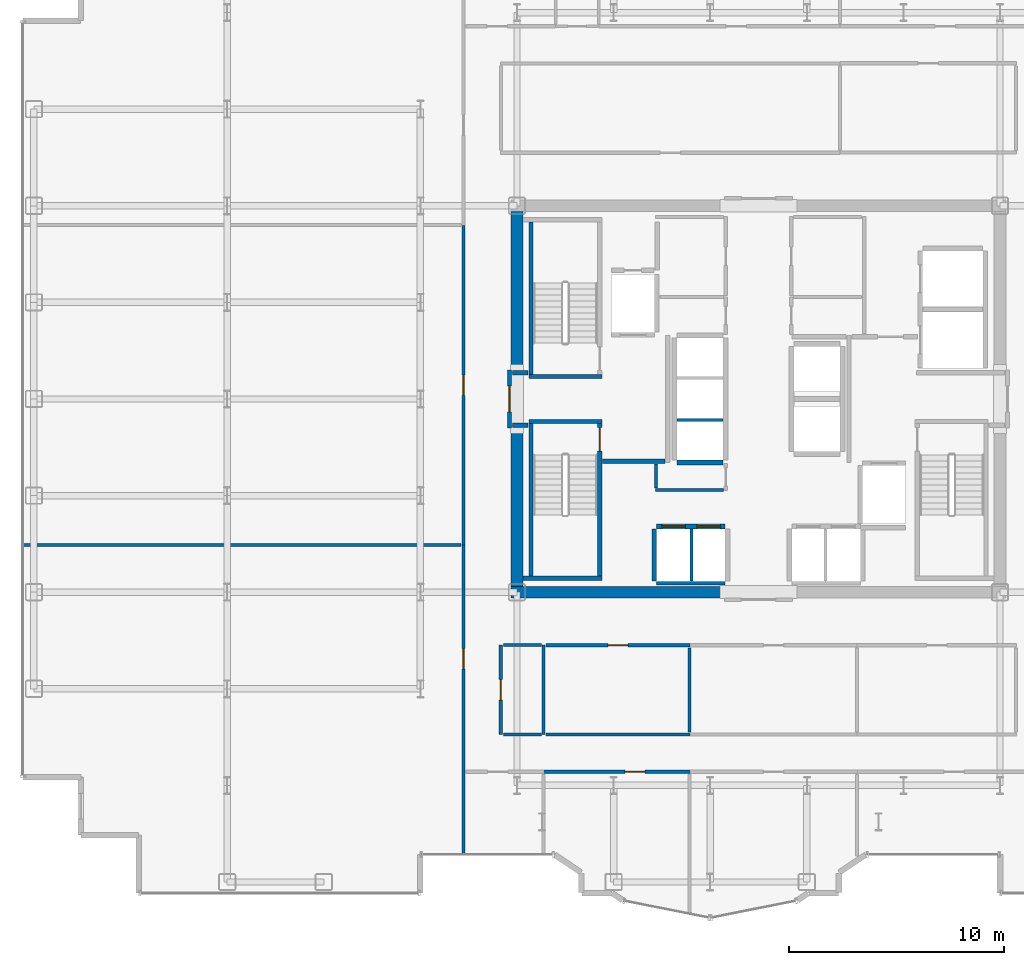
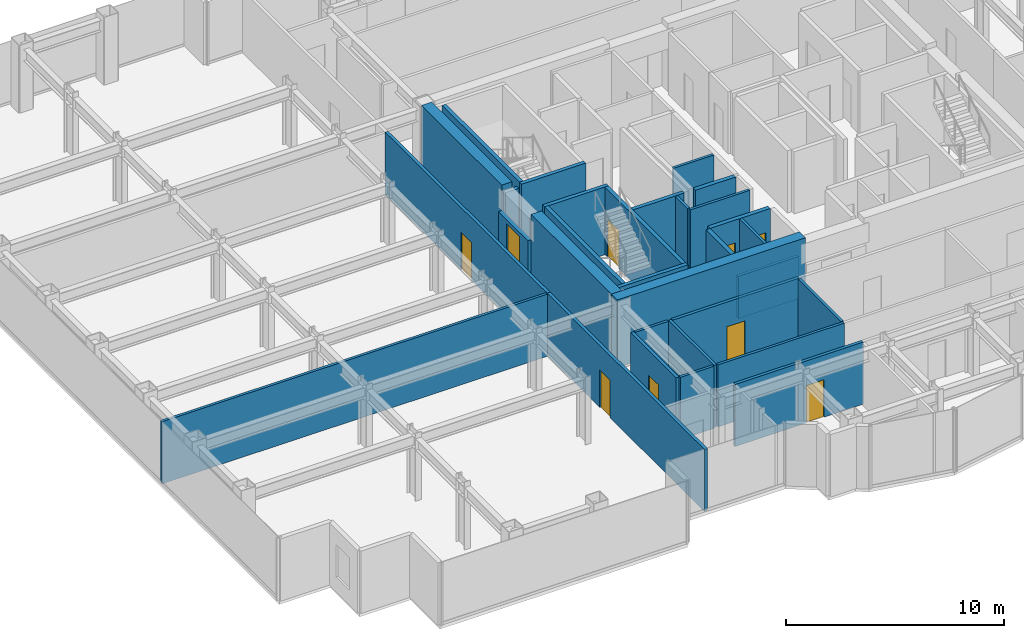
# One storey, part 17 of 23: 32 walls, 9 doors, 9 openings.
"""IFC4 building model written with IfcOpenShell, lengths in metres."""

from ifc_helpers import new_model, si_unit, direction, frame, frame_2d, origin, place, context, subcontext, project, spatial, rectangle, extrude, source, transform, mapped, material, layer, layer_set, type_object, element, fill, save


model = new_model("IFC4")

# Units and contexts
model_context = context("Model", 3, precision=1e-05, world=origin(), true_north=direction((0.0, 1.0)))
body_context = subcontext(model_context, "Body", "Model", "MODEL_VIEW")
ifc_project = project(units=[si_unit("LENGTHUNIT", "METRE"), si_unit("AREAUNIT", "SQUARE_METRE"), si_unit("VOLUMEUNIT", "CUBIC_METRE"), si_unit("PLANEANGLEUNIT", "RADIAN"), si_unit("MASSUNIT", "GRAM", prefix="KILO")], contexts=[model_context])

# Site, building, storey
site_placement = place(None, origin())
site = spatial("IfcSite", under=ifc_project, at=site_placement, CompositionType="ELEMENT")
building_placement = place(site_placement, origin())
building = spatial("IfcBuilding", under=site, at=building_placement, Name="Nefas-Gora Pilgrimage Tower", CompositionType="ELEMENT")
storey_placement = place(building_placement, frame((0.0, 0.0, 198.199951171875)))
storey = spatial("IfcBuildingStorey", under=building, at=storey_placement, Name="L49", CompositionType="ELEMENT", Elevation=198.199951171875)

# Walls
ifc_material_1 = material(Name="Concrete C60/75", Category="concrete")
ifc_layer_1 = layer(ifc_material_1, 0.550048828125)
ifc_layer_set_1 = layer_set([ifc_layer_1], Name="Concrete C60/75")
wall_type_1 = type_object("IfcWallType", Name="SW-CORE-550", PredefinedType="SHEAR", material=ifc_layer_set_1)
shared_shape_1 = source(origin(), body_context, "Body", "SweptSolid", [
    extrude(rectangle(XDim=9.974853515625, YDim=0.550048828125, at=frame_2d((4.9873046875, 0.0))), origin(), (0.0, 0.0, 1.0), 3.800048828125),
])
wall_1_placement = place(storey_placement, frame((-11.52490234375, -9.0, 0.0), z_axis=(0.0, 0.0, 1.0), x_axis=(1.0, 0.0, 0.0)))
element("IfcWall", 1, at=wall_1_placement, inside=storey, type_object=wall_type_1, Name="L49 Core Shear Wall S-West", PredefinedType="SHEAR", context=body_context, shape_type="MappedRepresentation", body=[
    mapped(shared_shape_1, transform((0.0, 0.0, 0.0), x_axis=(1.0, 0.0, 0.0), y_axis=(0.0, 1.0, 0.0), z_axis=(0.0, 0.0, 1.0), scale=1.0)),
])
shared_shape_2 = source(origin(), body_context, "Body", "SweptSolid", [
    extrude(rectangle(XDim=7.375, YDim=0.550048828125, at=frame_2d((3.6875, 0.0))), origin(), (0.0, 0.0, 1.0), 3.800048828125),
])
for number, where, z_axis, x_axis, name in (
    (2, (-11.25, -8.72509765625, 0.0), (0.0, 0.0, 1.0), (0.0, 1.0, 0.0), "L49 Core Shear Wall W-South"),
    (3, (-11.25, 1.35009765625, 0.0), (0.0, 0.0, 1.0), (0.0, 1.0, 0.0), "L49 Core Shear Wall W-North"),
):
    element("IfcWall", number, at=place(storey_placement, frame(where, z_axis=z_axis, x_axis=x_axis)), inside=storey, type_object=wall_type_1, Name=name, PredefinedType="SHEAR", context=body_context, shape_type="MappedRepresentation", body=[
        mapped(shared_shape_2, transform((0.0, 0.0, 0.0), x_axis=(1.0, 0.0, 0.0), y_axis=(0.0, 1.0, 0.0), z_axis=(0.0, 0.0, 1.0), scale=1.0)),
    ])
ifc_material_2 = material(Name="Concrete C45/55", Category="concrete")
ifc_layer_2 = layer(ifc_material_2, 0.199951171875)
ifc_layer_set_2 = layer_set([ifc_layer_2], Name="Concrete C45/55")
wall_type_2 = type_object("IfcWallType", Name="IW-STAIR-200", PredefinedType="SOLIDWALL", material=ifc_layer_set_2)
shared_shape_3 = source(origin(), body_context, "Body", "SweptSolid", [
    extrude(rectangle(XDim=3.39990234375, YDim=0.199951171875, at=frame_2d((1.699951171875, 0.0))), origin(), (0.0, 0.0, 1.0), 3.800048828125),
])
for number, where, z_axis, x_axis, name in (
    (4, (-7.300048828125, 1.050048828125, 0.0), (0.0, 0.0, 1.0), (-1.0, 0.0, 0.0), "L49 Stairwell Shear Wall ST-01-near"),
    (5, (-10.699951171875, -1.050048828125, 0.0), (0.0, 0.0, 1.0), (1.0, 0.0, 0.0), "L49 Stairwell Shear Wall ST-03-near"),
):
    element("IfcWall", number, at=place(storey_placement, frame(where, z_axis=z_axis, x_axis=x_axis)), inside=storey, type_object=wall_type_2, Name=name, PredefinedType="SOLIDWALL", context=body_context, shape_type="MappedRepresentation", body=[
        mapped(shared_shape_3, transform((0.0, 0.0, 0.0), x_axis=(1.0, 0.0, 0.0), y_axis=(0.0, 1.0, 0.0), z_axis=(0.0, 0.0, 1.0), scale=1.0)),
    ])
shared_shape_4 = source(origin(), body_context, "Body", "SweptSolid", [
    extrude(rectangle(XDim=7.10009765625, YDim=0.199951171875, at=frame_2d((3.550048828125, 0.0))), origin(), (0.0, 0.0, 1.0), 3.800048828125),
])
for number, where, z_axis, x_axis, name in (
    (6, (-10.60009765625, 1.14990234375, 0.0), (0.0, 0.0, 1.0), (0.0, 1.0, 0.0), "L49 Stairwell Shear Wall ST-01-right"),
    (7, (-10.60009765625, -1.14990234375, 0.0), (0.0, 0.0, 1.0), (0.0, -1.0, 0.0), "L49 Stairwell Shear Wall ST-03-left"),
):
    element("IfcWall", number, at=place(storey_placement, frame(where, z_axis=z_axis, x_axis=x_axis)), inside=storey, type_object=wall_type_2, Name=name, PredefinedType="SOLIDWALL", context=body_context, shape_type="MappedRepresentation", body=[
        mapped(shared_shape_4, transform((0.0, 0.0, 0.0), x_axis=(1.0, 0.0, 0.0), y_axis=(0.0, 1.0, 0.0), z_axis=(0.0, 0.0, 1.0), scale=1.0)),
    ])

# Wall, opening, door
wall_2_placement = place(storey_placement, frame((-7.39990234375, -1.14990234375, 0.0), z_axis=(0.0, 0.0, 1.0), x_axis=(0.0, -1.0, 0.0)))
wall_2 = element("IfcWall", 8, at=wall_2_placement, inside=storey, type_object=wall_type_2, Name="L49 Stairwell Shear Wall ST-03-right", PredefinedType="SOLIDWALL", context=body_context, shape_type="MappedRepresentation", body=[
    mapped(shared_shape_4, transform((0.0, 0.0, 0.0), x_axis=(1.0, 0.0, 0.0), y_axis=(0.0, 1.0, 0.0), z_axis=(0.0, 0.0, 1.0), scale=1.0)),
])
opening_1_placement = place(wall_2_placement, frame((0.179931640625, 0.0, 0.0)))
opening_1 = element("IfcOpeningElement", 9, at=opening_1_placement, cuts=wall_2, Name="Opening ID-ST1", PredefinedType="OPENING", context=body_context, shape_type="SweptSolid", body=[
    extrude(rectangle(XDim=1.10009765625, YDim=2.14990234375, at=frame_2d((0.550048828125, 1.074951171875))), frame((0.0, 0.10986328125, 0.0), z_axis=(0.0, -1.0, 0.0), x_axis=(1.0, 0.0, 0.0)), (0.0, 0.0, 1.0), 0.219970703125),
])
ifc_material_3 = material(Name="Painted galvanised steel fire stair door", Category="steel")
door_type_1 = type_object("IfcDoorType", Name="DR-INT-STAIR-1100", OperationType="NOTDEFINED", PredefinedType="DOOR", material=ifc_material_3)
shared_shape_5 = source(origin(), body_context, "Body", "SweptSolid", [
    extrude(rectangle(XDim=1.10009765625, YDim=2.14990234375, at=frame_2d((0.550048828125, 1.074951171875))), frame((0.0, 0.02490234375, 0.0), z_axis=(0.0, -1.0, 0.0), x_axis=(1.0, 0.0, 0.0)), (0.0, 0.0, 1.0), 0.050048828125),
])
door_1_placement = place(opening_1_placement, origin())
door_1 = element("IfcDoor", 10, at=door_1_placement, inside=storey, type_object=door_type_1, Name="L49 Protected Exit Stair Door ST-03", OperationType="SINGLE_SWING_LEFT", OverallHeight=2.14990234375, OverallWidth=1.10009765625, PredefinedType="DOOR", context=body_context, shape_type="MappedRepresentation", body=[
    mapped(shared_shape_5, transform((0.0, 0.0, 0.0), x_axis=(1.0, 0.0, 0.0), y_axis=(0.0, 1.0, 0.0), z_axis=(0.0, 0.0, 1.0), scale=1.0)),
])
fill(opening_1, door_1)

# Wall
shared_shape_6 = source(origin(), body_context, "Body", "SweptSolid", [
    extrude(rectangle(XDim=3.679931640625, YDim=0.199951171875, at=frame_2d((1.83984375, 0.0))), origin(), (0.0, 0.0, 1.0), 3.800048828125),
])
wall_3_placement = place(storey_placement, frame((-10.97998046875, -8.35009765625, 0.0), z_axis=(0.0, 0.0, 1.0), x_axis=(1.0, 0.0, 0.0)))
element("IfcWall", 11, at=wall_3_placement, inside=storey, type_object=wall_type_2, Name="L49 Stairwell Shear Wall ST-03-far", PredefinedType="SOLIDWALL", context=body_context, shape_type="MappedRepresentation", body=[
    mapped(shared_shape_6, transform((0.0, 0.0, 0.0), x_axis=(1.0, 0.0, 0.0), y_axis=(0.0, 1.0, 0.0), z_axis=(0.0, 0.0, 1.0), scale=1.0)),
])

# Wall, openings, doors
ifc_material_4 = material(Name="Concrete C40/50", Category="concrete")
ifc_layer_3 = layer(ifc_material_4, 0.219970703125)
ifc_layer_set_3 = layer_set([ifc_layer_3], Name="Concrete C40/50")
wall_type_3 = type_object("IfcWallType", Name="IW-SHAFT-220", PredefinedType="SOLIDWALL", material=ifc_layer_set_3)
shared_shape_7 = source(origin(), body_context, "Body", "SweptSolid", [
    extrude(rectangle(XDim=3.199951171875, YDim=0.219970703125, at=frame_2d((1.60009765625, 0.0))), origin(), (0.0, 0.0, 1.0), 3.485107421875),
])
wall_4_placement = place(storey_placement, frame((-1.550048828125, -5.93994140625, 0.0), z_axis=(0.0, 0.0, 1.0), x_axis=(-1.0, 0.0, 0.0)))
wall_4 = element("IfcWall", 12, at=wall_4_placement, inside=storey, type_object=wall_type_3, Name="L49 Hoistway Wall PL2-W-N", PredefinedType="SOLIDWALL", context=body_context, shape_type="MappedRepresentation", body=[
    mapped(shared_shape_7, transform((0.0, 0.0, 0.0), x_axis=(1.0, 0.0, 0.0), y_axis=(0.0, 1.0, 0.0), z_axis=(0.0, 0.0, 1.0), scale=1.0)),
])
opening_2_placement = place(wall_4_placement, frame((1.85009765625, 0.0, 0.0)))
opening_2 = element("IfcOpeningElement", 13, at=opening_2_placement, cuts=wall_4, Name="Opening LD-01", PredefinedType="OPENING", context=body_context, shape_type="SweptSolid", body=[
    extrude(rectangle(XDim=1.10009765625, YDim=2.199951171875, at=frame_2d((0.550048828125, 1.10009765625))), frame((0.0, 0.119873046875, 0.0), z_axis=(0.0, -1.0, 0.0), x_axis=(1.0, 0.0, 0.0)), (0.0, 0.0, 1.0), 0.239990234375),
])
opening_3_placement = place(wall_4_placement, frame((0.22509765625, 0.0, 0.0)))
opening_3 = element("IfcOpeningElement", 14, at=opening_3_placement, cuts=wall_4, Name="Opening LD-01", PredefinedType="OPENING", context=body_context, shape_type="SweptSolid", body=[
    extrude(rectangle(XDim=1.10009765625, YDim=2.199951171875, at=frame_2d((0.550048828125, 1.10009765625))), frame((0.0, 0.119873046875, 0.0), z_axis=(0.0, -1.0, 0.0), x_axis=(1.0, 0.0, 0.0)), (0.0, 0.0, 1.0), 0.239990234375),
])
ifc_material_5 = material(Name="Brushed stainless sliding lift landing door")
door_type_2 = type_object("IfcDoorType", Name="DR-LIFT-PASS-1100", OperationType="DOUBLE_DOOR_SLIDING", PredefinedType="DOOR", material=ifc_material_5)
shared_shape_8 = source(origin(), body_context, "Body", "SweptSolid", [
    extrude(rectangle(XDim=1.10009765625, YDim=2.199951171875, at=frame_2d((0.550048828125, 1.10009765625))), frame((0.0, 0.02490234375, 0.0), z_axis=(0.0, -1.0, 0.0), x_axis=(1.0, 0.0, 0.0)), (0.0, 0.0, 1.0), 0.050048828125),
])
door_2_placement = place(opening_2_placement, origin())
door_2 = element("IfcDoor", 15, at=door_2_placement, inside=storey, type_object=door_type_2, Name="L49 Sliding Lift Landing Door PL2-01", OperationType="DOUBLE_DOOR_SLIDING", OverallHeight=2.199951171875, OverallWidth=1.10009765625, PredefinedType="DOOR", context=body_context, shape_type="MappedRepresentation", body=[
    mapped(shared_shape_8, transform((0.0, 0.0, 0.0), x_axis=(1.0, 0.0, 0.0), y_axis=(0.0, 1.0, 0.0), z_axis=(0.0, 0.0, 1.0), scale=1.0)),
])
fill(opening_2, door_2)
door_3_placement = place(opening_3_placement, origin())
door_3 = element("IfcDoor", 16, at=door_3_placement, inside=storey, type_object=door_type_2, Name="L49 Sliding Lift Landing Door PL2-02", OperationType="DOUBLE_DOOR_SLIDING", OverallHeight=2.199951171875, OverallWidth=1.10009765625, PredefinedType="DOOR", context=body_context, shape_type="MappedRepresentation", body=[
    mapped(shared_shape_8, transform((0.0, 0.0, 0.0), x_axis=(1.0, 0.0, 0.0), y_axis=(0.0, 1.0, 0.0), z_axis=(0.0, 0.0, 1.0), scale=1.0)),
])
fill(opening_3, door_3)

# Walls
ifc_material_6 = material(Name="Gypsum acoustic stud partition")
ifc_layer_4 = layer(ifc_material_6, 0.159912109375)
ifc_layer_set_4 = layer_set([ifc_layer_4], Name="Gypsum acoustic stud partition")
wall_type_4 = type_object("IfcWallType", Name="IW-CORR-160", PredefinedType="PARTITIONING", material=ifc_layer_set_4)
shared_shape_9 = source(origin(), body_context, "Body", "SweptSolid", [
    extrude(rectangle(XDim=3.199951171875, YDim=0.159912109375, at=frame_2d((1.60009765625, 0.0))), origin(), (0.0, 0.0, 1.0), 2.375),
])
wall_5_placement = place(storey_placement, frame((-4.75, -8.580078125, 0.0), z_axis=(0.0, 0.0, 1.0), x_axis=(1.0, 0.0, 0.0)))
element("IfcWall", 17, at=wall_5_placement, inside=storey, type_object=wall_type_4, Name="L49 Hoistway Wall PL2-W-S", PredefinedType="PARTITIONING", context=body_context, shape_type="MappedRepresentation", body=[
    mapped(shared_shape_9, transform((0.0, 0.0, 0.0), x_axis=(1.0, 0.0, 0.0), y_axis=(0.0, 1.0, 0.0), z_axis=(0.0, 0.0, 1.0), scale=1.0)),
])
shared_shape_10 = source(origin(), body_context, "Body", "SweptSolid", [
    extrude(rectangle(XDim=2.429931640625, YDim=0.219970703125, at=frame_2d((1.21484375, 0.0))), origin(), (0.0, 0.0, 1.0), 3.485107421875),
])
wall_6_placement = place(storey_placement, frame((-4.860107421875, -6.06005859375, 0.0), z_axis=(0.0, 0.0, 1.0), x_axis=(0.0, -1.0, 0.0)))
element("IfcWall", 18, at=wall_6_placement, inside=storey, type_object=wall_type_3, Name="L49 Hoistway Wall PL2-W-W", PredefinedType="SOLIDWALL", context=body_context, shape_type="MappedRepresentation", body=[
    mapped(shared_shape_10, transform((0.0, 0.0, 0.0), x_axis=(1.0, 0.0, 0.0), y_axis=(0.0, 1.0, 0.0), z_axis=(0.0, 0.0, 1.0), scale=1.0)),
])
ifc_material_7 = material(Name="Gypsum twin-stud partition")
ifc_layer_5 = layer(ifc_material_7, 0.139892578125)
ifc_layer_set_5 = layer_set([ifc_layer_5], Name="Gypsum twin-stud partition")
wall_type_5 = type_object("IfcWallType", Name="IW-UNIT-140", PredefinedType="PARTITIONING", material=ifc_layer_set_5)
shared_shape_11 = source(origin(), body_context, "Body", "SweptSolid", [
    extrude(rectangle(XDim=2.429931640625, YDim=0.139892578125, at=frame_2d((1.21484375, 0.0))), origin(), (0.0, 0.0, 1.0), 3.485107421875),
])
wall_7_placement = place(storey_placement, frame((-3.125, -8.489990234375, 0.0), z_axis=(0.0, 0.0, 1.0), x_axis=(0.0, 1.0, 0.0)))
element("IfcWall", 19, at=wall_7_placement, inside=storey, type_object=wall_type_5, Name="L49 Hoistway Wall PL2-W-DIV", PredefinedType="PARTITIONING", context=body_context, shape_type="MappedRepresentation", body=[
    mapped(shared_shape_11, transform((0.0, 0.0, 0.0), x_axis=(1.0, 0.0, 0.0), y_axis=(0.0, 1.0, 0.0), z_axis=(0.0, 0.0, 1.0), scale=1.0)),
])
shared_shape_12 = source(origin(), body_context, "Body", "SweptSolid", [
    extrude(rectangle(XDim=2.130126953125, YDim=0.219970703125, at=frame_2d((1.06494140625, 0.0))), origin(), (0.0, 0.0, 1.0), 3.485107421875),
])
wall_8_placement = place(storey_placement, frame((-3.7900390625, -2.9599609375, 0.0), z_axis=(0.0, 0.0, 1.0), x_axis=(1.0, 0.0, 0.0)))
element("IfcWall", 20, at=wall_8_placement, inside=storey, type_object=wall_type_3, Name="L49 Hoistway Wall PL3-01-S", PredefinedType="SOLIDWALL", context=body_context, shape_type="MappedRepresentation", body=[
    mapped(shared_shape_12, transform((0.0, 0.0, 0.0), x_axis=(1.0, 0.0, 0.0), y_axis=(0.0, 1.0, 0.0), z_axis=(0.0, 0.0, 1.0), scale=1.0)),
])
shared_shape_13 = source(origin(), body_context, "Body", "SweptSolid", [
    extrude(rectangle(XDim=2.130126953125, YDim=0.139892578125, at=frame_2d((1.06494140625, 0.0))), origin(), (0.0, 0.0, 1.0), 3.485107421875),
])
wall_9_placement = place(storey_placement, frame((-3.7900390625, -0.97509765625, 0.0), z_axis=(0.0, 0.0, 1.0), x_axis=(1.0, 0.0, 0.0)))
element("IfcWall", 21, at=wall_9_placement, inside=storey, type_object=wall_type_5, Name="L49 Hoistway Wall PL3-01-02-DIV", PredefinedType="PARTITIONING", context=body_context, shape_type="MappedRepresentation", body=[
    mapped(shared_shape_13, transform((0.0, 0.0, 0.0), x_axis=(1.0, 0.0, 0.0), y_axis=(0.0, 1.0, 0.0), z_axis=(0.0, 0.0, 1.0), scale=1.0)),
])

# Wall, opening, door
ifc_material_8 = material(Name="Gypsum fire-rated shaftwall")
ifc_layer_6 = layer(ifc_material_8, 0.199951171875)
ifc_layer_set_6 = layer_set([ifc_layer_6], Name="Gypsum fire-rated shaftwall")
wall_type_6 = type_object("IfcWallType", Name="IW-FFLOB-200", PredefinedType="PARTITIONING", material=ifc_layer_set_6)
shared_shape_14 = source(origin(), body_context, "Body", "SweptSolid", [
    extrude(rectangle(XDim=2.7001953125, YDim=0.199951171875, at=frame_2d((1.35009765625, 0.0))), origin(), (0.0, 0.0, 1.0), 2.375),
])
wall_10_placement = place(storey_placement, frame((-11.60009765625, -1.35009765625, 0.0), z_axis=(0.0, 0.0, 1.0), x_axis=(0.0, 1.0, 0.0)))
wall_10 = element("IfcWall", 22, at=wall_10_placement, inside=storey, type_object=wall_type_6, Name="L49 FF Lobby West Portal Wall 4", PredefinedType="PARTITIONING", context=body_context, shape_type="MappedRepresentation", body=[
    mapped(shared_shape_14, transform((0.0, 0.0, 0.0), x_axis=(1.0, 0.0, 0.0), y_axis=(0.0, 1.0, 0.0), z_axis=(0.0, 0.0, 1.0), scale=1.0)),
])
opening_4_placement = place(wall_10_placement, frame((0.75, 0.0, 0.0)))
opening_4 = element("IfcOpeningElement", 23, at=opening_4_placement, cuts=wall_10, Name="Opening ID-FF1", PredefinedType="OPENING", context=body_context, shape_type="SweptSolid", body=[
    extrude(rectangle(XDim=1.199951171875, YDim=2.14990234375, at=frame_2d((0.60009765625, 1.074951171875))), frame((0.0, 0.10986328125, 0.0), z_axis=(0.0, -1.0, 0.0), x_axis=(1.0, 0.0, 0.0)), (0.0, 0.0, 1.0), 0.219970703125),
])
ifc_material_9 = material(Name="Smoke-sealed steel firefighting lobby door", Category="steel")
door_type_3 = type_object("IfcDoorType", Name="DR-INT-FFLOB-1200", OperationType="NOTDEFINED", PredefinedType="DOOR", material=ifc_material_9)
shared_shape_15 = source(origin(), body_context, "Body", "SweptSolid", [
    extrude(rectangle(XDim=1.199951171875, YDim=2.14990234375, at=frame_2d((0.60009765625, 1.074951171875))), frame((0.0, 0.02490234375, 0.0), z_axis=(0.0, -1.0, 0.0), x_axis=(1.0, 0.0, 0.0)), (0.0, 0.0, 1.0), 0.050048828125),
])
door_4_placement = place(opening_4_placement, origin())
door_4 = element("IfcDoor", 24, at=door_4_placement, inside=storey, type_object=door_type_3, Name="L49 FF Lobby West Portal Door 2", OperationType="SINGLE_SWING_LEFT", OverallHeight=2.14990234375, OverallWidth=1.199951171875, PredefinedType="DOOR", context=body_context, shape_type="MappedRepresentation", body=[
    mapped(shared_shape_15, transform((0.0, 0.0, 0.0), x_axis=(1.0, 0.0, 0.0), y_axis=(0.0, 1.0, 0.0), z_axis=(0.0, 0.0, 1.0), scale=1.0)),
])
fill(opening_4, door_4)

# Walls
shared_shape_16 = source(origin(), body_context, "Body", "SweptSolid", [
    extrude(rectangle(XDim=2.89990234375, YDim=0.199951171875, at=frame_2d((1.449951171875, 0.0))), origin(), (0.0, 0.0, 1.0), 3.485107421875),
])
wall_11_placement = place(storey_placement, frame((-7.260009765625, -2.89990234375, 0.0), z_axis=(0.0, 0.0, 1.0), x_axis=(1.0, 0.0, 0.0)))
element("IfcWall", 25, at=wall_11_placement, inside=storey, type_object=wall_type_6, Name="L49 FF Lobby West South Wall Wall 6", PredefinedType="PARTITIONING", context=body_context, shape_type="MappedRepresentation", body=[
    mapped(shared_shape_16, transform((0.0, 0.0, 0.0), x_axis=(1.0, 0.0, 0.0), y_axis=(0.0, 1.0, 0.0), z_axis=(0.0, 0.0, 1.0), scale=1.0)),
])
shared_shape_17 = source(origin(), body_context, "Body", "SweptSolid", [
    extrude(rectangle(XDim=0.719970703125, YDim=0.199951171875, at=frame_2d((0.35986328125, 0.0))), origin(), (0.0, 0.0, 1.0), 3.485107421875),
])
for number, where, z_axis, x_axis, name in (
    (26, (-11.4599609375, 1.219970703125, 0.0), (0.0, 0.0, 1.0), (1.0, 0.0, 0.0), "L49 FF Lobby West Throat N Wall 7"),
    (27, (-11.4599609375, -1.219970703125, 0.0), (0.0, 0.0, 1.0), (1.0, 0.0, 0.0), "L49 FF Lobby West Throat S Wall 8"),
):
    element("IfcWall", number, at=place(storey_placement, frame(where, z_axis=z_axis, x_axis=x_axis)), inside=storey, type_object=wall_type_6, Name=name, PredefinedType="PARTITIONING", context=body_context, shape_type="MappedRepresentation", body=[
        mapped(shared_shape_17, transform((0.0, 0.0, 0.0), x_axis=(1.0, 0.0, 0.0), y_axis=(0.0, 1.0, 0.0), z_axis=(0.0, 0.0, 1.0), scale=1.0)),
    ])

# Wall, opening, door
shared_shape_18 = source(origin(), body_context, "Body", "SweptSolid", [
    extrude(rectangle(XDim=14.445068359375, YDim=0.159912109375, at=frame_2d((7.22265625, 0.0))), origin(), (0.0, 0.0, 1.0), 3.485107421875),
])
wall_12_placement = place(storey_placement, frame((-13.739990234375, -21.239990234375, 0.0), z_axis=(0.0, 0.0, 1.0), x_axis=(0.0, 1.0, 0.0)))
wall_12 = element("IfcWall", 28, at=wall_12_placement, inside=storey, type_object=wall_type_4, Name="L49 Pilgrim Devotional Prayer Gallery Partition Wall 32", PredefinedType="PARTITIONING", context=body_context, shape_type="MappedRepresentation", body=[
    mapped(shared_shape_18, transform((0.0, 0.0, 0.0), x_axis=(1.0, 0.0, 0.0), y_axis=(0.0, 1.0, 0.0), z_axis=(0.0, 0.0, 1.0), scale=1.0)),
])
opening_5_placement = place(wall_12_placement, frame((8.66259765625, 0.0, 0.0)))
opening_5 = element("IfcOpeningElement", 29, at=opening_5_placement, cuts=wall_12, Name="Opening ID-GR1", PredefinedType="OPENING", context=body_context, shape_type="SweptSolid", body=[
    extrude(rectangle(XDim=0.949951171875, YDim=2.10009765625, at=frame_2d((0.47509765625, 1.050048828125))), frame((0.0, 0.08984375, 0.0), z_axis=(0.0, -1.0, 0.0), x_axis=(1.0, 0.0, 0.0)), (0.0, 0.0, 1.0), 0.179931640625),
])
ifc_material_10 = material(Name="Solid core oak fire-rated guest entrance door")
door_type_4 = type_object("IfcDoorType", Name="DR-INT-GUEST-950", OperationType="NOTDEFINED", PredefinedType="DOOR", material=ifc_material_10)
shared_shape_19 = source(origin(), body_context, "Body", "SweptSolid", [
    extrude(rectangle(XDim=0.949951171875, YDim=2.10009765625, at=frame_2d((0.47509765625, 1.050048828125))), frame((0.0, 0.02490234375, 0.0), z_axis=(0.0, -1.0, 0.0), x_axis=(1.0, 0.0, 0.0)), (0.0, 0.0, 1.0), 0.050048828125),
])
door_5_placement = place(opening_5_placement, origin())
door_5 = element("IfcDoor", 30, at=door_5_placement, inside=storey, type_object=door_type_4, Name="L49 Pilgrim Devotional Prayer Gallery Door 13", OperationType="SINGLE_SWING_RIGHT", OverallHeight=2.10009765625, OverallWidth=0.949951171875, PredefinedType="DOOR", context=body_context, shape_type="MappedRepresentation", body=[
    mapped(shared_shape_19, transform((0.0, 0.0, 0.0), x_axis=(1.0, 0.0, 0.0), y_axis=(0.0, 1.0, 0.0), z_axis=(0.0, 0.0, 1.0), scale=1.0)),
])
fill(opening_5, door_5)

# Walls
shared_shape_20 = source(origin(), body_context, "Body", "SweptSolid", [
    extrude(rectangle(XDim=20.429931640625, YDim=0.139892578125, at=frame_2d((10.21484375, 0.0))), origin(), (0.0, 0.0, 1.0), 3.485107421875),
])
wall_13_placement = place(storey_placement, frame((-34.2900390625, -6.804931640625, 0.0), z_axis=(0.0, 0.0, 1.0), x_axis=(1.0, 0.0, 0.0)))
element("IfcWall", 31, at=wall_13_placement, inside=storey, type_object=wall_type_5, Name="L49 Pilgrim Devotional Prayer Gallery Partition Wall 33", PredefinedType="PARTITIONING", context=body_context, shape_type="MappedRepresentation", body=[
    mapped(shared_shape_20, transform((0.0, 0.0, 0.0), x_axis=(1.0, 0.0, 0.0), y_axis=(0.0, 1.0, 0.0), z_axis=(0.0, 0.0, 1.0), scale=1.0)),
])
shared_shape_21 = source(origin(), body_context, "Body", "SweptSolid", [
    extrude(rectangle(XDim=3.150146484375, YDim=0.139892578125, at=frame_2d((1.5751953125, 0.0))), origin(), (0.0, 0.0, 1.0), 3.485107421875),
])
wall_14_placement = place(storey_placement, frame((-4.7900390625, -4.25, 0.0), z_axis=(0.0, 0.0, 1.0), x_axis=(1.0, 0.0, 0.0)))
element("IfcWall", 32, at=wall_14_placement, inside=storey, type_object=wall_type_5, Name="L49 Guest Self-Service Laundry Room Partition Wall 27", PredefinedType="PARTITIONING", context=body_context, shape_type="MappedRepresentation", body=[
    mapped(shared_shape_21, transform((0.0, 0.0, 0.0), x_axis=(1.0, 0.0, 0.0), y_axis=(0.0, 1.0, 0.0), z_axis=(0.0, 0.0, 1.0), scale=1.0)),
])
shared_shape_22 = source(origin(), body_context, "Body", "SweptSolid", [
    extrude(rectangle(XDim=1.099853515625, YDim=0.139892578125, at=frame_2d((0.5498046875, 0.0))), origin(), (0.0, 0.0, 1.0), 3.485107421875),
])
wall_15_placement = place(storey_placement, frame((-4.780029296875, -4.139892578125, 0.0), z_axis=(0.0, 0.0, 1.0), x_axis=(0.0, 1.0, 0.0)))
element("IfcWall", 33, at=wall_15_placement, inside=storey, type_object=wall_type_5, Name="L49 Guest Self-Service Laundry Room Partition Wall 28", PredefinedType="PARTITIONING", context=body_context, shape_type="MappedRepresentation", body=[
    mapped(shared_shape_22, transform((0.0, 0.0, 0.0), x_axis=(1.0, 0.0, 0.0), y_axis=(0.0, 1.0, 0.0), z_axis=(0.0, 0.0, 1.0), scale=1.0)),
])

# Wall, opening, door
shared_shape_23 = source(origin(), body_context, "Body", "SweptSolid", [
    extrude(rectangle(XDim=14.892333984375, YDim=0.159912109375, at=frame_2d((7.4462890625, 0.0))), origin(), (0.0, 0.0, 1.0), 3.485107421875),
])
wall_16_placement = place(storey_placement, frame((-13.739990234375, -6.804931640625, 0.0), z_axis=(0.0, 0.0, 1.0), x_axis=(0.0, 1.0, 0.0)))
wall_16 = element("IfcWall", 34, at=wall_16_placement, inside=storey, type_object=wall_type_4, Name="L49 Pilgrim Devotional Prayer Gallery Partition Wall 36", PredefinedType="PARTITIONING", context=body_context, shape_type="MappedRepresentation", body=[
    mapped(shared_shape_23, transform((0.0, 0.0, 0.0), x_axis=(1.0, 0.0, 0.0), y_axis=(0.0, 1.0, 0.0), z_axis=(0.0, 0.0, 1.0), scale=1.0)),
])
opening_6_placement = place(wall_16_placement, frame((6.97119140625, 0.0, 0.0)))
opening_6 = element("IfcOpeningElement", 35, at=opening_6_placement, cuts=wall_16, Name="Opening ID-GR1", PredefinedType="OPENING", context=body_context, shape_type="SweptSolid", body=[
    extrude(rectangle(XDim=0.949951171875, YDim=2.10009765625, at=frame_2d((0.47509765625, 1.050048828125))), frame((0.0, 0.08984375, 0.0), z_axis=(0.0, -1.0, 0.0), x_axis=(1.0, 0.0, 0.0)), (0.0, 0.0, 1.0), 0.179931640625),
])
door_6_placement = place(opening_6_placement, origin())
door_6 = element("IfcDoor", 36, at=door_6_placement, inside=storey, type_object=door_type_4, Name="L49 Pilgrim Devotional Prayer Gallery Door 15", OperationType="SINGLE_SWING_RIGHT", OverallHeight=2.10009765625, OverallWidth=0.949951171875, PredefinedType="DOOR", context=body_context, shape_type="MappedRepresentation", body=[
    mapped(shared_shape_19, transform((0.0, 0.0, 0.0), x_axis=(1.0, 0.0, 0.0), y_axis=(0.0, 1.0, 0.0), z_axis=(0.0, 0.0, 1.0), scale=1.0)),
])
fill(opening_6, door_6)

# Wall
shared_shape_24 = source(origin(), body_context, "Body", "SweptSolid", [
    extrude(rectangle(XDim=3.929931640625, YDim=0.139892578125, at=frame_2d((1.96484375, 0.0))), origin(), (0.0, 0.0, 1.0), 3.485107421875),
])
wall_17_placement = place(storey_placement, frame((-3.205078125, -15.52001953125, 0.0), z_axis=(0.0, 0.0, 1.0), x_axis=(0.0, 1.0, 0.0)))
element("IfcWall", 37, at=wall_17_placement, inside=storey, type_object=wall_type_5, Name="L49 Scripture Reading Study Partition Wall 69", PredefinedType="PARTITIONING", context=body_context, shape_type="MappedRepresentation", body=[
    mapped(shared_shape_24, transform((0.0, 0.0, 0.0), x_axis=(1.0, 0.0, 0.0), y_axis=(0.0, 1.0, 0.0), z_axis=(0.0, 0.0, 1.0), scale=1.0)),
])

# Wall, opening, door
shared_shape_25 = source(origin(), body_context, "Body", "SweptSolid", [
    extrude(rectangle(XDim=4.179931640625, YDim=0.159912109375, at=frame_2d((2.08984375, 0.0))), origin(), (0.0, 0.0, 1.0), 3.485107421875),
])
wall_18_placement = place(storey_placement, frame((-12.0, -15.639892578125, 0.0), z_axis=(0.0, 0.0, 1.0), x_axis=(0.0, 1.0, 0.0)))
wall_18 = element("IfcWall", 38, at=wall_18_placement, inside=storey, type_object=wall_type_4, Name="L49 Pilgrim Contemplative Lounge Partition Wall 61", PredefinedType="PARTITIONING", context=body_context, shape_type="MappedRepresentation", body=[
    mapped(shared_shape_25, transform((0.0, 0.0, 0.0), x_axis=(1.0, 0.0, 0.0), y_axis=(0.0, 1.0, 0.0), z_axis=(0.0, 0.0, 1.0), scale=1.0)),
])
opening_7_placement = place(wall_18_placement, frame((1.614990234375, 0.0, 0.0)))
opening_7 = element("IfcOpeningElement", 39, at=opening_7_placement, cuts=wall_18, Name="Opening ID-GR1", PredefinedType="OPENING", context=body_context, shape_type="SweptSolid", body=[
    extrude(rectangle(XDim=0.949951171875, YDim=2.10009765625, at=frame_2d((0.47509765625, 1.050048828125))), frame((0.0, 0.08984375, 0.0), z_axis=(0.0, -1.0, 0.0), x_axis=(1.0, 0.0, 0.0)), (0.0, 0.0, 1.0), 0.179931640625),
])
door_7_placement = place(opening_7_placement, origin())
door_7 = element("IfcDoor", 40, at=door_7_placement, inside=storey, type_object=door_type_4, Name="L49 Pilgrim Contemplative Lounge Door 28", OperationType="SINGLE_SWING_LEFT", OverallHeight=2.10009765625, OverallWidth=0.949951171875, PredefinedType="DOOR", context=body_context, shape_type="MappedRepresentation", body=[
    mapped(shared_shape_19, transform((0.0, 0.0, 0.0), x_axis=(1.0, 0.0, 0.0), y_axis=(0.0, 1.0, 0.0), z_axis=(0.0, 0.0, 1.0), scale=1.0)),
])
fill(opening_7, door_7)

# Walls
shared_shape_26 = source(origin(), body_context, "Body", "SweptSolid", [
    extrude(rectangle(XDim=4.179931640625, YDim=0.139892578125, at=frame_2d((2.08984375, 0.0))), origin(), (0.0, 0.0, 1.0), 3.485107421875),
])
wall_19_placement = place(storey_placement, frame((-10.0048828125, -15.639892578125, 0.0), z_axis=(0.0, 0.0, 1.0), x_axis=(0.0, 1.0, 0.0)))
element("IfcWall", 41, at=wall_19_placement, inside=storey, type_object=wall_type_5, Name="L49 Pilgrim Contemplative Lounge Partition Wall 62", PredefinedType="PARTITIONING", context=body_context, shape_type="MappedRepresentation", body=[
    mapped(shared_shape_26, transform((0.0, 0.0, 0.0), x_axis=(1.0, 0.0, 0.0), y_axis=(0.0, 1.0, 0.0), z_axis=(0.0, 0.0, 1.0), scale=1.0)),
])
shared_shape_27 = source(origin(), body_context, "Body", "SweptSolid", [
    extrude(rectangle(XDim=1.764892578125, YDim=0.139892578125, at=frame_2d((0.88232421875, 0.0))), origin(), (0.0, 0.0, 1.0), 3.485107421875),
])
for number, where, z_axis, x_axis, name in (
    (42, (-11.8798828125, -11.469970703125, 0.0), (0.0, 0.0, 1.0), (1.0, 0.0, 0.0), "L49 Pilgrim Contemplative Lounge Partition Wall 63"),
    (43, (-11.8798828125, -15.6298828125, 0.0), (0.0, 0.0, 1.0), (1.0, 0.0, 0.0), "L49 Pilgrim Contemplative Lounge Partition Wall 64"),
):
    element("IfcWall", number, at=place(storey_placement, frame(where, z_axis=z_axis, x_axis=x_axis)), inside=storey, type_object=wall_type_5, Name=name, PredefinedType="PARTITIONING", context=body_context, shape_type="MappedRepresentation", body=[
        mapped(shared_shape_27, transform((0.0, 0.0, 0.0), x_axis=(1.0, 0.0, 0.0), y_axis=(0.0, 1.0, 0.0), z_axis=(0.0, 0.0, 1.0), scale=1.0)),
    ])

# Wall, opening, door
shared_shape_28 = source(origin(), body_context, "Body", "SweptSolid", [
    extrude(rectangle(XDim=6.809814453125, YDim=0.159912109375, at=frame_2d((3.40478515625, 0.0))), origin(), (0.0, 0.0, 1.0), 3.485107421875),
])
wall_20_placement = place(storey_placement, frame((-10.0048828125, -17.3701171875, 0.0), z_axis=(0.0, 0.0, 1.0), x_axis=(1.0, 0.0, 0.0)))
wall_20 = element("IfcWall", 44, at=wall_20_placement, inside=storey, type_object=wall_type_4, Name="L49 Pilgrim Contemplative Lounge Partition Wall 65", PredefinedType="PARTITIONING", context=body_context, shape_type="MappedRepresentation", body=[
    mapped(shared_shape_28, transform((0.0, 0.0, 0.0), x_axis=(1.0, 0.0, 0.0), y_axis=(0.0, 1.0, 0.0), z_axis=(0.0, 0.0, 1.0), scale=1.0)),
])
opening_8_placement = place(wall_20_placement, frame((3.778076171875, 0.0, 0.0)))
opening_8 = element("IfcOpeningElement", 45, at=opening_8_placement, cuts=wall_20, Name="Opening ID-GR1", PredefinedType="OPENING", context=body_context, shape_type="SweptSolid", body=[
    extrude(rectangle(XDim=0.949951171875, YDim=2.10009765625, at=frame_2d((0.47509765625, 1.050048828125))), frame((0.0, 0.08984375, 0.0), z_axis=(0.0, -1.0, 0.0), x_axis=(1.0, 0.0, 0.0)), (0.0, 0.0, 1.0), 0.179931640625),
])
door_8_placement = place(opening_8_placement, origin())
door_8 = element("IfcDoor", 46, at=door_8_placement, inside=storey, type_object=door_type_4, Name="L49 Pilgrim Contemplative Lounge Door 29", OperationType="SINGLE_SWING_RIGHT", OverallHeight=2.10009765625, OverallWidth=0.949951171875, PredefinedType="DOOR", context=body_context, shape_type="MappedRepresentation", body=[
    mapped(shared_shape_19, transform((0.0, 0.0, 0.0), x_axis=(1.0, 0.0, 0.0), y_axis=(0.0, 1.0, 0.0), z_axis=(0.0, 0.0, 1.0), scale=1.0)),
])
fill(opening_8, door_8)

shared_shape_29 = source(origin(), body_context, "Body", "SweptSolid", [
    extrude(rectangle(XDim=6.699951171875, YDim=0.159912109375, at=frame_2d((3.35009765625, 0.0))), origin(), (0.0, 0.0, 1.0), 3.485107421875),
])
wall_21_placement = place(storey_placement, frame((-9.89501953125, -11.469970703125, 0.0), z_axis=(0.0, 0.0, 1.0), x_axis=(1.0, 0.0, 0.0)))
wall_21 = element("IfcWall", 47, at=wall_21_placement, inside=storey, type_object=wall_type_4, Name="L49 Scripture Reading Study Partition Wall 67", PredefinedType="PARTITIONING", context=body_context, shape_type="MappedRepresentation", body=[
    mapped(shared_shape_29, transform((0.0, 0.0, 0.0), x_axis=(1.0, 0.0, 0.0), y_axis=(0.0, 1.0, 0.0), z_axis=(0.0, 0.0, 1.0), scale=1.0)),
])
opening_9_placement = place(wall_21_placement, frame((2.875, 0.0, 0.0)))
opening_9 = element("IfcOpeningElement", 48, at=opening_9_placement, cuts=wall_21, Name="Opening ID-GR1", PredefinedType="OPENING", context=body_context, shape_type="SweptSolid", body=[
    extrude(rectangle(XDim=0.949951171875, YDim=2.10009765625, at=frame_2d((0.47509765625, 1.050048828125))), frame((0.0, 0.08984375, 0.0), z_axis=(0.0, -1.0, 0.0), x_axis=(1.0, 0.0, 0.0)), (0.0, 0.0, 1.0), 0.179931640625),
])
door_9_placement = place(opening_9_placement, origin())
door_9 = element("IfcDoor", 49, at=door_9_placement, inside=storey, type_object=door_type_4, Name="L49 Scripture Reading Study Door 30", OperationType="SINGLE_SWING_LEFT", OverallHeight=2.10009765625, OverallWidth=0.949951171875, PredefinedType="DOOR", context=body_context, shape_type="MappedRepresentation", body=[
    mapped(shared_shape_19, transform((0.0, 0.0, 0.0), x_axis=(1.0, 0.0, 0.0), y_axis=(0.0, 1.0, 0.0), z_axis=(0.0, 0.0, 1.0), scale=1.0)),
])
fill(opening_9, door_9)

# Wall
shared_shape_30 = source(origin(), body_context, "Body", "SweptSolid", [
    extrude(rectangle(XDim=6.699951171875, YDim=0.139892578125, at=frame_2d((3.35009765625, 0.0))), origin(), (0.0, 0.0, 1.0), 3.485107421875),
])
wall_22_placement = place(storey_placement, frame((-9.89501953125, -15.6298828125, 0.0), z_axis=(0.0, 0.0, 1.0), x_axis=(1.0, 0.0, 0.0)))
element("IfcWall", 50, at=wall_22_placement, inside=storey, type_object=wall_type_5, Name="L49 Scripture Reading Study Partition Wall 68", PredefinedType="PARTITIONING", context=body_context, shape_type="MappedRepresentation", body=[
    mapped(shared_shape_30, transform((0.0, 0.0, 0.0), x_axis=(1.0, 0.0, 0.0), y_axis=(0.0, 1.0, 0.0), z_axis=(0.0, 0.0, 1.0), scale=1.0)),
])

save(model, "model.ifc")
